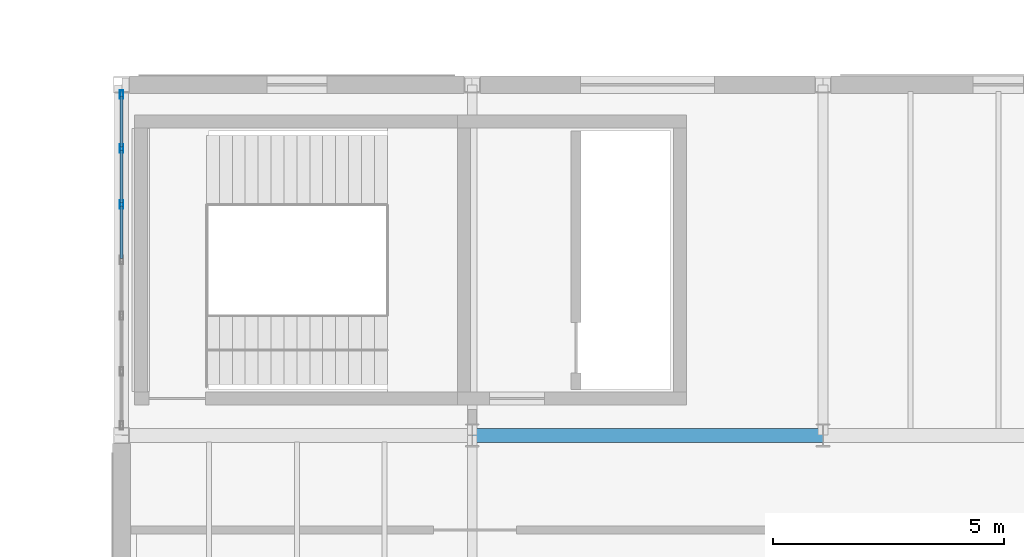
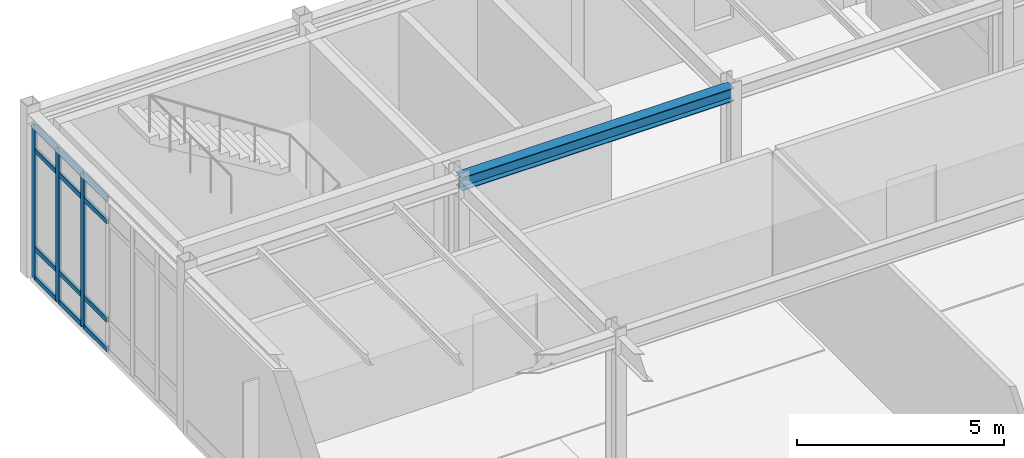
# One storey, part 52 of 109: 15 members, 1 beam, 1 element without a shape of its own.
"""IFC4 building model written with IfcOpenShell, lengths in metres."""

import ifcopenshell
import ifcopenshell.guid

model = None  # the IFC model being written
_history = None  # IfcOwnerHistory: only IFC2X3 demands one
_inside = {}  # id of a spatial element -> (the spatial element, [elements in it])
_under = {}  # id of a project, library or spatial element -> (it, [spatial elements below it])
_declared = {}  # id of a project -> (the project, [libraries it declares])
_typed = {}  # id of a type object -> (the type object, [elements of that type])
_made_of = {}  # id of a material, layer set ... -> (it, [elements and type objects made of it])


def new_model(schema):
    """Start an empty IFC model of exactly this schema.

    Asked for "IFC4X3", IfcOpenShell would pick the latest addendum, in which some entities
    have other attributes; the version numbers below select the first issue.
    IFC2X3 requires an IfcOwnerHistory on every rooted entity: one is made here for all.
    """
    global model, _history
    if schema == "IFC4X3":
        model = ifcopenshell.file(schema_version=(4, 3, 0, 0))
    else:
        model = ifcopenshell.file(schema=schema)
    _inside.clear()
    _under.clear()
    _declared.clear()
    _typed.clear()
    _made_of.clear()
    _history = None
    if model.schema == "IFC2X3":
        org = make("IfcOrganization", Name="unknown")
        user = make(
            "IfcPersonAndOrganization",
            ThePerson=make("IfcPerson", FamilyName="unknown"),
            TheOrganization=org,
        )
        app = make(
            "IfcApplication",
            ApplicationDeveloper=org,
            Version="unknown",
            ApplicationFullName="unknown",
            ApplicationIdentifier="unknown",
        )
        _history = make(
            "IfcOwnerHistory",
            OwningUser=user,
            OwningApplication=app,
            ChangeAction="ADDED",
            CreationDate=0,
        )
    return model


def make(cls, **values):
    """One entity of the class cls with the attributes given. An attribute that is None is left unset."""
    return model.create_entity(
        cls, **{name: value for name, value in values.items() if value is not None}
    )


def rooted(cls, **values):
    """An entity with a GlobalId (a new one), such as an element, a storey or a relation."""
    return make(cls, GlobalId=ifcopenshell.guid.new(), OwnerHistory=_history, **values)


def si_unit(unit_type, name, prefix=None):
    """IfcSIUnit, for example si_unit("LENGTHUNIT", "METRE", prefix="MILLI")."""
    return make("IfcSIUnit", UnitType=unit_type, Prefix=prefix, Name=name)


def assignment(units):
    """IfcUnitAssignment: the units of a project."""
    return None if units is None else make("IfcUnitAssignment", Units=units)


def point(xyz):
    """IfcCartesianPoint."""
    return None if xyz is None else make("IfcCartesianPoint", Coordinates=xyz)


def direction(xyz):
    """IfcDirection."""
    return None if xyz is None else make("IfcDirection", DirectionRatios=xyz)


def frame(location, z_axis=None, x_axis=None):
    """IfcAxis2Placement3D, a coordinate frame: its origin and axes. An axis left out is left unset."""
    return make(
        "IfcAxis2Placement3D",
        Location=point(location),
        Axis=direction(z_axis),
        RefDirection=direction(x_axis),
    )


def frame_2d(location, x_axis=None):
    """IfcAxis2Placement2D, a coordinate frame in the plane: its origin and x axis."""
    return make(
        "IfcAxis2Placement2D", Location=point(location), RefDirection=direction(x_axis)
    )


def origin():
    """The frame at (0, 0, 0) with its axes left unset."""
    return frame((0.0, 0.0, 0.0))


def origin_2d():
    """The frame at (0, 0) in the plane with its x axis left unset."""
    return frame_2d((0.0, 0.0))


def place(relative_to, where):
    """IfcLocalPlacement: puts the frame where relative to a parent placement (None: the world)."""
    return make(
        "IfcLocalPlacement", PlacementRelTo=relative_to, RelativePlacement=where
    )


def context(
    kind, dimensions, precision=None, world=None, true_north=None, identifier=None
):
    """IfcGeometricRepresentationContext, for example the 3D "Model" context."""
    return make(
        "IfcGeometricRepresentationContext",
        ContextIdentifier=identifier,
        ContextType=kind,
        CoordinateSpaceDimension=dimensions,
        Precision=precision,
        WorldCoordinateSystem=world,
        TrueNorth=true_north,
    )


def subcontext(parent, identifier, kind, view, scale=None):
    """IfcGeometricRepresentationSubContext, for example "Body" below "Model"."""
    return make(
        "IfcGeometricRepresentationSubContext",
        ContextIdentifier=identifier,
        ContextType=kind,
        ParentContext=parent,
        TargetScale=scale,
        TargetView=view,
    )


def project(units=None, contexts=None):
    """IfcProject with its units and contexts."""
    return rooted(
        "IfcProject",
        Name="project",
        RepresentationContexts=contexts,
        UnitsInContext=assignment(units),
    )


def spatial(cls, under=None, at=None, **own):
    """A site, building, storey or space (cls), placed at a placement, below another one or the project."""
    s = rooted(cls, ObjectPlacement=at, **own)
    if under is not None:
        _under.setdefault(under.id(), (under, []))[1].append(s)
    return s


def profile(cls, at=None, kind="AREA", **sizes):
    """A parametric profile (cls). Its sizes go by their IFC names, for example OverallWidth=200.0."""
    return make(cls, ProfileType=kind, Position=at, **sizes)


def hollow_rectangle(**sizes):
    """IfcRectangleHollowProfileDef."""
    return profile("IfcRectangleHollowProfileDef", **sizes)


def i_section(**sizes):
    """IfcIShapeProfileDef."""
    return profile("IfcIShapeProfileDef", **sizes)


def extrude(swept, where, along, depth):
    """IfcExtrudedAreaSolid: the profile swept, set in the frame where, extruded along a direction by depth."""
    return make(
        "IfcExtrudedAreaSolid",
        SweptArea=swept,
        Position=where,
        ExtrudedDirection=direction(along),
        Depth=depth,
    )


def shape(context_of_items, identifier, shape_type, items):
    """IfcShapeRepresentation: the items that make up one representation, for example the "Body"."""
    return make(
        "IfcShapeRepresentation",
        ContextOfItems=context_of_items,
        RepresentationIdentifier=identifier,
        RepresentationType=shape_type,
        Items=items,
    )


def material(Name=None, Category=None):
    """IfcMaterial."""
    return make("IfcMaterial", Name=Name, Category=Category)


def layer(
    of_material, thickness, ventilated=None, Name=None, Category=None, Priority=None
):
    """IfcMaterialLayer: one layer of a wall or slab, of a material (None: an air gap)."""
    return make(
        "IfcMaterialLayer",
        Material=of_material,
        LayerThickness=thickness,
        IsVentilated=ventilated,
        Name=Name,
        Category=Category,
        Priority=Priority,
    )


def layer_set(layers, Name=None):
    """IfcMaterialLayerSet."""
    return make("IfcMaterialLayerSet", MaterialLayers=layers, LayerSetName=Name)


def material_profile(
    of_material, cross_section, Name=None, Category=None, Priority=None
):
    """IfcMaterialProfile: a cross section and its material."""
    return make(
        "IfcMaterialProfile",
        Name=Name,
        Material=of_material,
        Profile=cross_section,
        Priority=Priority,
        Category=Category,
    )


def profile_set(profiles, Name=None, composite=None):
    """IfcMaterialProfileSet."""
    return make(
        "IfcMaterialProfileSet",
        Name=Name,
        MaterialProfiles=profiles,
        CompositeProfile=composite,
    )


def made_of(thing, what):
    """Note that an element or type object is made of a material, layer set ...; save() writes the relation."""
    if what is not None:
        _made_of.setdefault(what.id(), (what, []))[1].append(thing)
    return thing


def type_object(cls, material=None, **own):
    """A type object (cls), such as IfcWallType, which elements share."""
    return made_of(rooted(cls, **own), material)


def element(
    cls,
    number,
    at=None,
    inside=None,
    cuts=None,
    type_object=None,
    material=None,
    context=None,
    identifier="Body",
    shape_type=None,
    held_by="IfcProductDefinitionShape",
    body=None,
    shapes=None,
    **own,
):
    """One element of the class cls, such as IfcWall. Its Tag is "e" and its number.

    at: its placement. inside: the storey or other place that contains it. cuts: it is an
    opening in that element (IfcRelVoidsElement). A single representation is given by context,
    identifier, shape_type and body (its items); several are given by shapes. held_by: the class
    of the entity that holds the representations. save() writes the other relations.
    """
    e = rooted(cls, Tag="e%d" % number, ObjectPlacement=at, **own)
    if body is not None:
        shapes = [shape(context, identifier, shape_type, body)]
    if shapes is not None:
        e.Representation = make(held_by, Representations=shapes)
    if inside is not None:
        _inside.setdefault(inside.id(), (inside, []))[1].append(e)
    if cuts is not None:
        rooted(
            "IfcRelVoidsElement", RelatingBuildingElement=cuts, RelatedOpeningElement=e
        )
    if type_object is not None:
        _typed.setdefault(type_object.id(), (type_object, []))[1].append(e)
    return made_of(e, material)


def aggregate(whole, parts):
    """IfcRelAggregates: a whole, such as a stair, and the parts it consists of."""
    return rooted("IfcRelAggregates", RelatingObject=whole, RelatedObjects=parts)


def save(model, path):
    """Write the relations noted so far, then the file.

    IfcRelAggregates (storeys below a building ...), IfcRelContainedInSpatialStructure (elements
    in a storey), IfcRelDefinesByType, IfcRelAssociatesMaterial and IfcRelDeclares: one each for
    every whole, place, type object, material and project.
    """
    for whole, parts in _under.values():
        aggregate(whole, parts)
    for where, things in _inside.values():
        rooted(
            "IfcRelContainedInSpatialStructure",
            RelatedElements=things,
            RelatingStructure=where,
        )
    for kind, things in _typed.values():
        rooted("IfcRelDefinesByType", RelatedObjects=things, RelatingType=kind)
    for what, things in _made_of.values():
        rooted("IfcRelAssociatesMaterial", RelatedObjects=things, RelatingMaterial=what)
    for by, libraries in _declared.values():
        rooted("IfcRelDeclares", RelatingContext=by, RelatedDefinitions=libraries)
    model.write(path)


model = new_model("IFC4")

# Units and contexts
model_context = context("Model", 3, precision=1e-05, world=origin(), true_north=direction((0.0, 1.0)))
body_context = subcontext(model_context, "Body", "Model", "MODEL_VIEW")
ifc_project = project(units=[si_unit("LENGTHUNIT", "METRE"), si_unit("AREAUNIT", "SQUARE_METRE"), si_unit("VOLUMEUNIT", "CUBIC_METRE"), si_unit("PLANEANGLEUNIT", "RADIAN"), si_unit("MASSUNIT", "GRAM", prefix="KILO")], contexts=[model_context])

# Site, building, storey
site_placement = place(None, origin())
site = spatial("IfcSite", under=ifc_project, at=site_placement, CompositionType="ELEMENT")
building_placement = place(site_placement, origin())
building = spatial("IfcBuilding", under=site, at=building_placement, Name="Montecoro Central Library", CompositionType="ELEMENT")
storey_placement = place(building_placement, origin())
storey = spatial("IfcBuildingStorey", under=building, at=storey_placement, Name="L00", CompositionType="ELEMENT", Elevation=0.0)

# Beam
ifc_material_1 = material(Name="Steel S355", Category="steel")
ifc_material_profile_1 = material_profile(ifc_material_1, i_section(OverallWidth=0.300048828125, OverallDepth=0.389892578125, WebThickness=0.010986328125, FlangeThickness=0.01904296875, at=origin_2d()), Name="HEA 400")
ifc_profile_set_1 = profile_set([ifc_material_profile_1], Name="Steel S355")
beam_type = type_object("IfcBeamType", Name="BM-G-HEA400", PredefinedType="USERDEFINED", material=ifc_profile_set_1)
beam_placement = place(storey_placement, frame((12.60498046875, 103.800048828125, 4.64990234375), z_axis=(1.0, 0.0, 0.0), x_axis=(0.0, 1.0, 0.0)))
element("IfcBeam", 1, at=beam_placement, inside=storey, type_object=beam_type, Name="V4-L00-BX-23-P", ObjectType="GIRDER", PredefinedType="USERDEFINED", context=body_context, shape_type="SweptSolid", body=[
    extrude(i_section(OverallWidth=0.300048828125, OverallDepth=0.389892578125, WebThickness=0.010986328125, FlangeThickness=0.01904296875, at=origin_2d()), origin(), (0.0, 0.0, 1.0), 7.590087890625),
])

# Curtain wall, members
ifc_material_2 = material(Name="Bronze-anodised aluminium and low-E glazing", Category="aluminium")
ifc_layer = layer(ifc_material_2, 0.159912109375)
ifc_layer_set = layer_set([ifc_layer], Name="Bronze-anodised aluminium and low-E glazing")
curtain_wall_type = type_object("IfcCurtainWallType", Name="CWT-041", PredefinedType="NOTDEFINED", material=ifc_layer_set)
curtain_wall_placement = place(storey_placement, origin())
curtain_wall = element("IfcCurtainWall", 2, at=curtain_wall_placement, inside=storey, type_object=curtain_wall_type, Name="V4-L00-CW-W4", PredefinedType="NOTDEFINED")
ifc_material_3 = material(Name="Bronze-anodised aluminium", Category="aluminium")
ifc_material_profile_2 = material_profile(ifc_material_3, hollow_rectangle(XDim=0.070068359375, YDim=0.179931640625, WallThickness=0.0048828125, at=origin_2d()), Name="CWM 180x70x5.0")
ifc_profile_set_2 = profile_set([ifc_material_profile_2], Name="Bronze-anodised aluminium")
member_type_1 = type_object("IfcMemberType", Name="CWM-BRZ-70", PredefinedType="MULLION", material=ifc_profile_set_2)
member_1_placement = place(storey_placement, frame((5.0, 111.18701171875, 0.0), z_axis=(0.0, 0.0, 1.0), x_axis=(1.0, 0.0, 0.0)))
member_1 = element("IfcMember", 3, at=member_1_placement, type_object=member_type_1, Name="CW-041 mullion 1", PredefinedType="MULLION", context=body_context, shape_type="SweptSolid", body=[
    extrude(hollow_rectangle(XDim=0.070068359375, YDim=0.179931640625, WallThickness=0.0048828125, at=origin_2d()), origin(), (0.0, 0.0, 1.0), 4.5),
])
member_2_placement = place(storey_placement, frame((5.0, 110.0146484375, 0.0), z_axis=(0.0, 0.0, 1.0), x_axis=(1.0, 0.0, 0.0)))
member_2 = element("IfcMember", 4, at=member_2_placement, type_object=member_type_1, Name="CW-041 mullion 2", PredefinedType="MULLION", context=body_context, shape_type="SweptSolid", body=[
    extrude(hollow_rectangle(XDim=0.070068359375, YDim=0.179931640625, WallThickness=0.0048828125, at=origin_2d()), origin(), (0.0, 0.0, 1.0), 4.5),
])
member_3_placement = place(storey_placement, frame((5.0, 108.807373046875, 0.0), z_axis=(0.0, 0.0, 1.0), x_axis=(1.0, 0.0, 0.0)))
member_3 = element("IfcMember", 5, at=member_3_placement, type_object=member_type_1, Name="CW-041 mullion 3", PredefinedType="MULLION", context=body_context, shape_type="SweptSolid", body=[
    extrude(hollow_rectangle(XDim=0.070068359375, YDim=0.179931640625, WallThickness=0.0048828125, at=origin_2d()), origin(), (0.0, 0.0, 1.0), 4.5),
])
ifc_material_profile_3 = material_profile(ifc_material_3, hollow_rectangle(XDim=0.070068359375, YDim=0.139892578125, WallThickness=0.00390625, at=origin_2d()), Name="CWT 140x70x4.0")
ifc_profile_set_3 = profile_set([ifc_material_profile_3], Name="Bronze-anodised aluminium")
member_type_2 = type_object("IfcMemberType", Name="CWT-BRZ-70", PredefinedType="USERDEFINED", material=ifc_profile_set_3)
member_4_placement = place(storey_placement, frame((5.0, 111.152099609375, 0.034912109375), z_axis=(0.0, -1.0, 0.0), x_axis=(1.0, 0.0, 0.0)))
member_4 = element("IfcMember", 6, at=member_4_placement, type_object=member_type_2, Name="CW-041 transom 1.1", ObjectType="TRANSOM", PredefinedType="USERDEFINED", context=body_context, shape_type="SweptSolid", body=[
    extrude(hollow_rectangle(XDim=0.070068359375, YDim=0.139892578125, WallThickness=0.00390625, at=origin_2d()), origin(), (0.0, 0.0, 1.0), 1.1025390625),
])
member_5_placement = place(storey_placement, frame((5.0, 111.152099609375, 0.89990234375), z_axis=(0.0, -1.0, 0.0), x_axis=(1.0, 0.0, 0.0)))
member_5 = element("IfcMember", 7, at=member_5_placement, type_object=member_type_2, Name="CW-041 transom 1.2", ObjectType="TRANSOM", PredefinedType="USERDEFINED", context=body_context, shape_type="SweptSolid", body=[
    extrude(hollow_rectangle(XDim=0.070068359375, YDim=0.139892578125, WallThickness=0.00390625, at=origin_2d()), origin(), (0.0, 0.0, 1.0), 1.1025390625),
])
member_6_placement = place(storey_placement, frame((5.0, 111.152099609375, 3.800048828125), z_axis=(0.0, -1.0, 0.0), x_axis=(1.0, 0.0, 0.0)))
member_6 = element("IfcMember", 8, at=member_6_placement, type_object=member_type_2, Name="CW-041 transom 1.3", ObjectType="TRANSOM", PredefinedType="USERDEFINED", context=body_context, shape_type="SweptSolid", body=[
    extrude(hollow_rectangle(XDim=0.070068359375, YDim=0.139892578125, WallThickness=0.00390625, at=origin_2d()), origin(), (0.0, 0.0, 1.0), 1.1025390625),
])
member_7_placement = place(storey_placement, frame((5.0, 111.152099609375, 4.465087890625), z_axis=(0.0, -1.0, 0.0), x_axis=(1.0, 0.0, 0.0)))
member_7 = element("IfcMember", 9, at=member_7_placement, type_object=member_type_2, Name="CW-041 transom 1.4", ObjectType="TRANSOM", PredefinedType="USERDEFINED", context=body_context, shape_type="SweptSolid", body=[
    extrude(hollow_rectangle(XDim=0.070068359375, YDim=0.139892578125, WallThickness=0.00390625, at=origin_2d()), origin(), (0.0, 0.0, 1.0), 1.1025390625),
])
member_8_placement = place(storey_placement, frame((5.0, 109.979736328125, 0.034912109375), z_axis=(0.0, -1.0, 0.0), x_axis=(1.0, 0.0, 0.0)))
member_8 = element("IfcMember", 10, at=member_8_placement, type_object=member_type_2, Name="CW-041 transom 2.1", ObjectType="TRANSOM", PredefinedType="USERDEFINED", context=body_context, shape_type="SweptSolid", body=[
    extrude(hollow_rectangle(XDim=0.070068359375, YDim=0.139892578125, WallThickness=0.00390625, at=origin_2d()), origin(), (0.0, 0.0, 1.0), 1.137451171875),
])
member_9_placement = place(storey_placement, frame((5.0, 109.979736328125, 0.89990234375), z_axis=(0.0, -1.0, 0.0), x_axis=(1.0, 0.0, 0.0)))
member_9 = element("IfcMember", 11, at=member_9_placement, type_object=member_type_2, Name="CW-041 transom 2.2", ObjectType="TRANSOM", PredefinedType="USERDEFINED", context=body_context, shape_type="SweptSolid", body=[
    extrude(hollow_rectangle(XDim=0.070068359375, YDim=0.139892578125, WallThickness=0.00390625, at=origin_2d()), origin(), (0.0, 0.0, 1.0), 1.137451171875),
])
member_10_placement = place(storey_placement, frame((5.0, 109.979736328125, 3.800048828125), z_axis=(0.0, -1.0, 0.0), x_axis=(1.0, 0.0, 0.0)))
member_10 = element("IfcMember", 12, at=member_10_placement, type_object=member_type_2, Name="CW-041 transom 2.3", ObjectType="TRANSOM", PredefinedType="USERDEFINED", context=body_context, shape_type="SweptSolid", body=[
    extrude(hollow_rectangle(XDim=0.070068359375, YDim=0.139892578125, WallThickness=0.00390625, at=origin_2d()), origin(), (0.0, 0.0, 1.0), 1.137451171875),
])
member_11_placement = place(storey_placement, frame((5.0, 109.979736328125, 4.465087890625), z_axis=(0.0, -1.0, 0.0), x_axis=(1.0, 0.0, 0.0)))
member_11 = element("IfcMember", 13, at=member_11_placement, type_object=member_type_2, Name="CW-041 transom 2.4", ObjectType="TRANSOM", PredefinedType="USERDEFINED", context=body_context, shape_type="SweptSolid", body=[
    extrude(hollow_rectangle(XDim=0.070068359375, YDim=0.139892578125, WallThickness=0.00390625, at=origin_2d()), origin(), (0.0, 0.0, 1.0), 1.137451171875),
])
member_12_placement = place(storey_placement, frame((5.0, 108.772216796875, 0.034912109375), z_axis=(0.0, -1.0, 0.0), x_axis=(1.0, 0.0, 0.0)))
member_12 = element("IfcMember", 14, at=member_12_placement, type_object=member_type_2, Name="CW-041 transom 3.1", ObjectType="TRANSOM", PredefinedType="USERDEFINED", context=body_context, shape_type="SweptSolid", body=[
    extrude(hollow_rectangle(XDim=0.070068359375, YDim=0.139892578125, WallThickness=0.00390625, at=origin_2d()), origin(), (0.0, 0.0, 1.0), 1.13720703125),
])
member_13_placement = place(storey_placement, frame((5.0, 108.772216796875, 0.89990234375), z_axis=(0.0, -1.0, 0.0), x_axis=(1.0, 0.0, 0.0)))
member_13 = element("IfcMember", 15, at=member_13_placement, type_object=member_type_2, Name="CW-041 transom 3.2", ObjectType="TRANSOM", PredefinedType="USERDEFINED", context=body_context, shape_type="SweptSolid", body=[
    extrude(hollow_rectangle(XDim=0.070068359375, YDim=0.139892578125, WallThickness=0.00390625, at=origin_2d()), origin(), (0.0, 0.0, 1.0), 1.13720703125),
])
member_14_placement = place(storey_placement, frame((5.0, 108.772216796875, 3.800048828125), z_axis=(0.0, -1.0, 0.0), x_axis=(1.0, 0.0, 0.0)))
member_14 = element("IfcMember", 16, at=member_14_placement, type_object=member_type_2, Name="CW-041 transom 3.3", ObjectType="TRANSOM", PredefinedType="USERDEFINED", context=body_context, shape_type="SweptSolid", body=[
    extrude(hollow_rectangle(XDim=0.070068359375, YDim=0.139892578125, WallThickness=0.00390625, at=origin_2d()), origin(), (0.0, 0.0, 1.0), 1.13720703125),
])
member_15_placement = place(storey_placement, frame((5.0, 108.772216796875, 4.465087890625), z_axis=(0.0, -1.0, 0.0), x_axis=(1.0, 0.0, 0.0)))
member_15 = element("IfcMember", 17, at=member_15_placement, type_object=member_type_2, Name="CW-041 transom 3.4", ObjectType="TRANSOM", PredefinedType="USERDEFINED", context=body_context, shape_type="SweptSolid", body=[
    extrude(hollow_rectangle(XDim=0.070068359375, YDim=0.139892578125, WallThickness=0.00390625, at=origin_2d()), origin(), (0.0, 0.0, 1.0), 1.13720703125),
])
aggregate(curtain_wall, [member_1, member_2, member_3, member_4, member_5, member_6, member_7, member_8, member_9, member_10, member_11, member_12, member_13, member_14, member_15])

save(model, "model.ifc")
